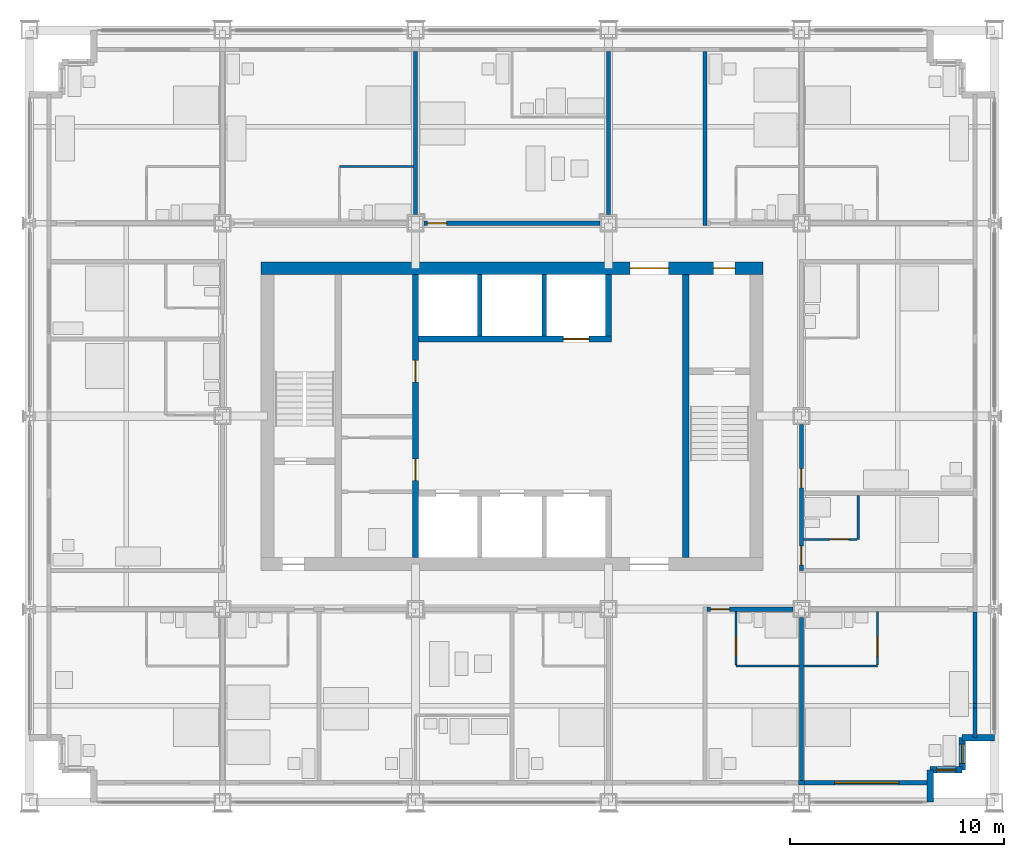
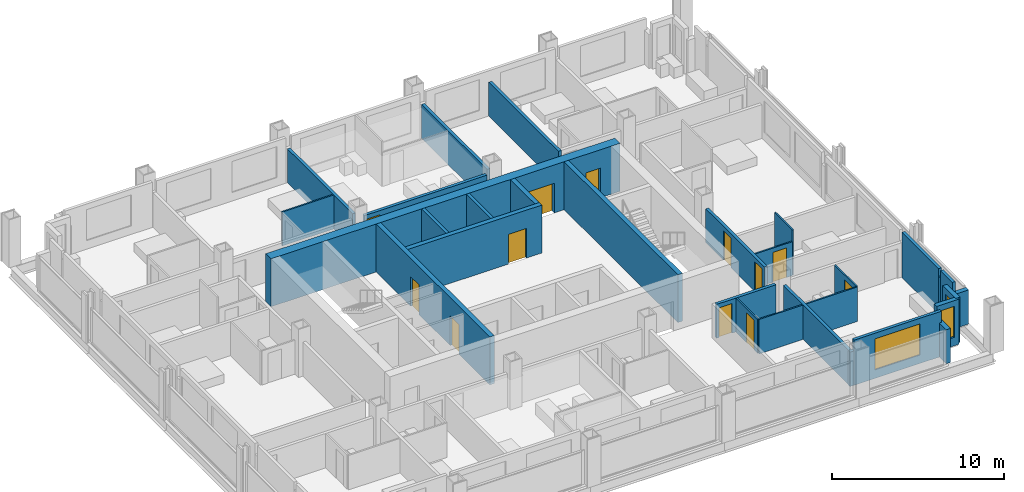
# One storey, part 11 of 16: 30 walls, 12 doors, 3 windows, 15 openings.
"""IFC4 building model written with IfcOpenShell, lengths in metres."""

import ifcopenshell
import ifcopenshell.guid

model = None  # the IFC model being written
_history = None  # IfcOwnerHistory: only IFC2X3 demands one
_inside = {}  # id of a spatial element -> (the spatial element, [elements in it])
_under = {}  # id of a project, library or spatial element -> (it, [spatial elements below it])
_declared = {}  # id of a project -> (the project, [libraries it declares])
_typed = {}  # id of a type object -> (the type object, [elements of that type])
_made_of = {}  # id of a material, layer set ... -> (it, [elements and type objects made of it])


def new_model(schema):
    """Start an empty IFC model of exactly this schema.

    Asked for "IFC4X3", IfcOpenShell would pick the latest addendum, in which some entities
    have other attributes; the version numbers below select the first issue.
    IFC2X3 requires an IfcOwnerHistory on every rooted entity: one is made here for all.
    """
    global model, _history
    if schema == "IFC4X3":
        model = ifcopenshell.file(schema_version=(4, 3, 0, 0))
    else:
        model = ifcopenshell.file(schema=schema)
    _inside.clear()
    _under.clear()
    _declared.clear()
    _typed.clear()
    _made_of.clear()
    _history = None
    if model.schema == "IFC2X3":
        org = make("IfcOrganization", Name="unknown")
        user = make(
            "IfcPersonAndOrganization",
            ThePerson=make("IfcPerson", FamilyName="unknown"),
            TheOrganization=org,
        )
        app = make(
            "IfcApplication",
            ApplicationDeveloper=org,
            Version="unknown",
            ApplicationFullName="unknown",
            ApplicationIdentifier="unknown",
        )
        _history = make(
            "IfcOwnerHistory",
            OwningUser=user,
            OwningApplication=app,
            ChangeAction="ADDED",
            CreationDate=0,
        )
    return model


def make(cls, **values):
    """One entity of the class cls with the attributes given. An attribute that is None is left unset."""
    return model.create_entity(
        cls, **{name: value for name, value in values.items() if value is not None}
    )


def rooted(cls, **values):
    """An entity with a GlobalId (a new one), such as an element, a storey or a relation."""
    return make(cls, GlobalId=ifcopenshell.guid.new(), OwnerHistory=_history, **values)


def si_unit(unit_type, name, prefix=None):
    """IfcSIUnit, for example si_unit("LENGTHUNIT", "METRE", prefix="MILLI")."""
    return make("IfcSIUnit", UnitType=unit_type, Prefix=prefix, Name=name)


def assignment(units):
    """IfcUnitAssignment: the units of a project."""
    return None if units is None else make("IfcUnitAssignment", Units=units)


def point(xyz):
    """IfcCartesianPoint."""
    return None if xyz is None else make("IfcCartesianPoint", Coordinates=xyz)


def direction(xyz):
    """IfcDirection."""
    return None if xyz is None else make("IfcDirection", DirectionRatios=xyz)


def frame(location, z_axis=None, x_axis=None):
    """IfcAxis2Placement3D, a coordinate frame: its origin and axes. An axis left out is left unset."""
    return make(
        "IfcAxis2Placement3D",
        Location=point(location),
        Axis=direction(z_axis),
        RefDirection=direction(x_axis),
    )


def frame_2d(location, x_axis=None):
    """IfcAxis2Placement2D, a coordinate frame in the plane: its origin and x axis."""
    return make(
        "IfcAxis2Placement2D", Location=point(location), RefDirection=direction(x_axis)
    )


def origin():
    """The frame at (0, 0, 0) with its axes left unset."""
    return frame((0.0, 0.0, 0.0))


def place(relative_to, where):
    """IfcLocalPlacement: puts the frame where relative to a parent placement (None: the world)."""
    return make(
        "IfcLocalPlacement", PlacementRelTo=relative_to, RelativePlacement=where
    )


def context(
    kind, dimensions, precision=None, world=None, true_north=None, identifier=None
):
    """IfcGeometricRepresentationContext, for example the 3D "Model" context."""
    return make(
        "IfcGeometricRepresentationContext",
        ContextIdentifier=identifier,
        ContextType=kind,
        CoordinateSpaceDimension=dimensions,
        Precision=precision,
        WorldCoordinateSystem=world,
        TrueNorth=true_north,
    )


def subcontext(parent, identifier, kind, view, scale=None):
    """IfcGeometricRepresentationSubContext, for example "Body" below "Model"."""
    return make(
        "IfcGeometricRepresentationSubContext",
        ContextIdentifier=identifier,
        ContextType=kind,
        ParentContext=parent,
        TargetScale=scale,
        TargetView=view,
    )


def project(units=None, contexts=None):
    """IfcProject with its units and contexts."""
    return rooted(
        "IfcProject",
        Name="project",
        RepresentationContexts=contexts,
        UnitsInContext=assignment(units),
    )


def spatial(cls, under=None, at=None, **own):
    """A site, building, storey or space (cls), placed at a placement, below another one or the project."""
    s = rooted(cls, ObjectPlacement=at, **own)
    if under is not None:
        _under.setdefault(under.id(), (under, []))[1].append(s)
    return s


def profile(cls, at=None, kind="AREA", **sizes):
    """A parametric profile (cls). Its sizes go by their IFC names, for example OverallWidth=200.0."""
    return make(cls, ProfileType=kind, Position=at, **sizes)


def rectangle(**sizes):
    """IfcRectangleProfileDef."""
    return profile("IfcRectangleProfileDef", **sizes)


def extrude(swept, where, along, depth):
    """IfcExtrudedAreaSolid: the profile swept, set in the frame where, extruded along a direction by depth."""
    return make(
        "IfcExtrudedAreaSolid",
        SweptArea=swept,
        Position=where,
        ExtrudedDirection=direction(along),
        Depth=depth,
    )


def shape(context_of_items, identifier, shape_type, items):
    """IfcShapeRepresentation: the items that make up one representation, for example the "Body"."""
    return make(
        "IfcShapeRepresentation",
        ContextOfItems=context_of_items,
        RepresentationIdentifier=identifier,
        RepresentationType=shape_type,
        Items=items,
    )


def material(Name=None, Category=None):
    """IfcMaterial."""
    return make("IfcMaterial", Name=Name, Category=Category)


def layer(
    of_material, thickness, ventilated=None, Name=None, Category=None, Priority=None
):
    """IfcMaterialLayer: one layer of a wall or slab, of a material (None: an air gap)."""
    return make(
        "IfcMaterialLayer",
        Material=of_material,
        LayerThickness=thickness,
        IsVentilated=ventilated,
        Name=Name,
        Category=Category,
        Priority=Priority,
    )


def layer_set(layers, Name=None):
    """IfcMaterialLayerSet."""
    return make("IfcMaterialLayerSet", MaterialLayers=layers, LayerSetName=Name)


def made_of(thing, what):
    """Note that an element or type object is made of a material, layer set ...; save() writes the relation."""
    if what is not None:
        _made_of.setdefault(what.id(), (what, []))[1].append(thing)
    return thing


def type_object(cls, material=None, **own):
    """A type object (cls), such as IfcWallType, which elements share."""
    return made_of(rooted(cls, **own), material)


def element(
    cls,
    number,
    at=None,
    inside=None,
    cuts=None,
    type_object=None,
    material=None,
    context=None,
    identifier="Body",
    shape_type=None,
    held_by="IfcProductDefinitionShape",
    body=None,
    shapes=None,
    **own,
):
    """One element of the class cls, such as IfcWall. Its Tag is "e" and its number.

    at: its placement. inside: the storey or other place that contains it. cuts: it is an
    opening in that element (IfcRelVoidsElement). A single representation is given by context,
    identifier, shape_type and body (its items); several are given by shapes. held_by: the class
    of the entity that holds the representations. save() writes the other relations.
    """
    e = rooted(cls, Tag="e%d" % number, ObjectPlacement=at, **own)
    if body is not None:
        shapes = [shape(context, identifier, shape_type, body)]
    if shapes is not None:
        e.Representation = make(held_by, Representations=shapes)
    if inside is not None:
        _inside.setdefault(inside.id(), (inside, []))[1].append(e)
    if cuts is not None:
        rooted(
            "IfcRelVoidsElement", RelatingBuildingElement=cuts, RelatedOpeningElement=e
        )
    if type_object is not None:
        _typed.setdefault(type_object.id(), (type_object, []))[1].append(e)
    return made_of(e, material)


def fill(opening, filler):
    """IfcRelFillsElement: the door or window that sits in an opening."""
    return rooted(
        "IfcRelFillsElement",
        RelatingOpeningElement=opening,
        RelatedBuildingElement=filler,
    )


def aggregate(whole, parts):
    """IfcRelAggregates: a whole, such as a stair, and the parts it consists of."""
    return rooted("IfcRelAggregates", RelatingObject=whole, RelatedObjects=parts)


def save(model, path):
    """Write the relations noted so far, then the file.

    IfcRelAggregates (storeys below a building ...), IfcRelContainedInSpatialStructure (elements
    in a storey), IfcRelDefinesByType, IfcRelAssociatesMaterial and IfcRelDeclares: one each for
    every whole, place, type object, material and project.
    """
    for whole, parts in _under.values():
        aggregate(whole, parts)
    for where, things in _inside.values():
        rooted(
            "IfcRelContainedInSpatialStructure",
            RelatedElements=things,
            RelatingStructure=where,
        )
    for kind, things in _typed.values():
        rooted("IfcRelDefinesByType", RelatedObjects=things, RelatingType=kind)
    for what, things in _made_of.values():
        rooted("IfcRelAssociatesMaterial", RelatedObjects=things, RelatingMaterial=what)
    for by, libraries in _declared.values():
        rooted("IfcRelDeclares", RelatingContext=by, RelatedDefinitions=libraries)
    model.write(path)


model = new_model("IFC4")

# Units and contexts
model_context = context("Model", 3, precision=1e-05, world=origin(), true_north=direction((0.0, 1.0)))
body_context = subcontext(model_context, "Body", "Model", "MODEL_VIEW")
ifc_project = project(units=[si_unit("LENGTHUNIT", "METRE"), si_unit("AREAUNIT", "SQUARE_METRE"), si_unit("VOLUMEUNIT", "CUBIC_METRE"), si_unit("PLANEANGLEUNIT", "RADIAN"), si_unit("MASSUNIT", "GRAM", prefix="KILO")], contexts=[model_context])

# Site, building, storey
site_placement = place(None, origin())
site = spatial("IfcSite", under=ifc_project, at=site_placement, CompositionType="ELEMENT")
building_placement = place(site_placement, origin())
building = spatial("IfcBuilding", under=site, at=building_placement, Name="Loomwork Tower", CompositionType="ELEMENT")
storey_placement = place(building_placement, frame((0.0, 0.0, 118.0)))
storey = spatial("IfcBuildingStorey", under=building, at=storey_placement, Name="L31", CompositionType="ELEMENT", Elevation=118.0)

# Wall, openings, doors
ifc_material_1 = material(Name="Concrete 14000 psi (97 MPa)", Category="concrete")
ifc_layer_1 = layer(ifc_material_1, 0.300048828125)
ifc_layer_set_1 = layer_set([ifc_layer_1], Name="Core shear wall 300")
wall_type_1 = type_object("IfcWallType", Name="Core shear wall 300", PredefinedType="SHEAR", material=ifc_layer_set_1)
wall_1_placement = place(storey_placement, frame((18.0, 11.39990234375, 0.0), z_axis=(0.0, 0.0, 1.0), x_axis=(0.0, 1.0, 0.0)))
wall_1 = element("IfcWall", 1, at=wall_1_placement, inside=storey, type_object=wall_type_1, Name="Lobby west wall L31", PredefinedType="SHEAR", context=body_context, shape_type="SweptSolid", body=[
    extrude(rectangle(XDim=13.2001953125, YDim=0.300048828125, at=frame_2d((6.60009765625, 0.0))), origin(), (0.0, 0.0, 1.0), 3.39990234375),
])
opening_1_placement = place(wall_1_placement, frame((3.60009765625, 0.0, 0.0)))
opening_1 = element("IfcOpeningElement", 2, at=opening_1_placement, cuts=wall_1, Name="Opening D5", PredefinedType="OPENING", context=body_context, shape_type="SweptSolid", body=[
    extrude(rectangle(XDim=1.0, YDim=2.10009765625, at=frame_2d((0.5, 1.050048828125))), frame((0.0, 0.159912109375, 0.0), z_axis=(0.0, -1.0, 0.0), x_axis=(1.0, 0.0, 0.0)), (0.0, 0.0, 1.0), 0.320068359375),
])
opening_2_placement = place(wall_1_placement, frame((8.199951171875, 0.0, 0.0)))
opening_2 = element("IfcOpeningElement", 3, at=opening_2_placement, cuts=wall_1, Name="Opening D5", PredefinedType="OPENING", context=body_context, shape_type="SweptSolid", body=[
    extrude(rectangle(XDim=1.0, YDim=2.10009765625, at=frame_2d((0.5, 1.050048828125))), frame((0.0, 0.159912109375, 0.0), z_axis=(0.0, -1.0, 0.0), x_axis=(1.0, 0.0, 0.0)), (0.0, 0.0, 1.0), 0.320068359375),
])
ifc_material_2 = material(Name="Hollow metal door and frame")
door_type_1 = type_object("IfcDoorType", Name="Service door 1000", OperationType="SINGLE_SWING_LEFT", PredefinedType="DOOR", material=ifc_material_2)
door_1_placement = place(opening_1_placement, origin())
door_1 = element("IfcDoor", 4, at=door_1_placement, inside=storey, type_object=door_type_1, Name="Back-of-house door south", OperationType="SINGLE_SWING_LEFT", OverallHeight=2.10009765625, OverallWidth=1.0, PredefinedType="DOOR", context=body_context, shape_type="SweptSolid", body=[
    extrude(rectangle(XDim=1.0, YDim=2.10009765625, at=frame_2d((0.5, 1.050048828125))), frame((0.0, 0.02490234375, 0.0), z_axis=(0.0, -1.0, 0.0), x_axis=(1.0, 0.0, 0.0)), (0.0, 0.0, 1.0), 0.050048828125),
])
fill(opening_1, door_1)
door_2_placement = place(opening_2_placement, origin())
door_2 = element("IfcDoor", 5, at=door_2_placement, inside=storey, type_object=door_type_1, Name="Back-of-house door north", OperationType="SINGLE_SWING_RIGHT", OverallHeight=2.10009765625, OverallWidth=1.0, PredefinedType="DOOR", context=body_context, shape_type="SweptSolid", body=[
    extrude(rectangle(XDim=1.0, YDim=2.10009765625, at=frame_2d((0.5, 1.050048828125))), frame((0.0, 0.02490234375, 0.0), z_axis=(0.0, -1.0, 0.0), x_axis=(1.0, 0.0, 0.0)), (0.0, 0.0, 1.0), 0.050048828125),
])
fill(opening_2, door_2)

# Wall, opening, door
wall_2_placement = place(storey_placement, frame((18.14990234375, 21.60009765625, 0.0), z_axis=(0.0, 0.0, 1.0), x_axis=(1.0, 0.0, 0.0)))
wall_2 = element("IfcWall", 6, at=wall_2_placement, inside=storey, type_object=wall_type_1, Name="Lift front wall north L31", PredefinedType="SHEAR", context=body_context, shape_type="SweptSolid", body=[
    extrude(rectangle(XDim=9.0, YDim=0.300048828125, at=frame_2d((4.5, 0.0))), origin(), (0.0, 0.0, 1.0), 3.39990234375),
])
opening_3_placement = place(wall_2_placement, frame((6.75, 0.0, 0.0)))
opening_3 = element("IfcOpeningElement", 7, at=opening_3_placement, cuts=wall_2, Name="Opening LD2", PredefinedType="OPENING", context=body_context, shape_type="SweptSolid", body=[
    extrude(rectangle(XDim=1.199951171875, YDim=2.10009765625, at=frame_2d((0.60009765625, 1.050048828125))), frame((0.0, 0.159912109375, 0.0), z_axis=(0.0, -1.0, 0.0), x_axis=(1.0, 0.0, 0.0)), (0.0, 0.0, 1.0), 0.320068359375),
])
ifc_material_3 = material(Name="Hollow metal door and frame")
door_type_2 = type_object("IfcDoorType", Name="Lift landing door 1200", OperationType="SLIDING_TO_LEFT", PredefinedType="DOOR", material=ifc_material_3)
door_3_placement = place(opening_3_placement, origin())
door_3 = element("IfcDoor", 8, at=door_3_placement, inside=storey, type_object=door_type_2, Name="Lift landing door LF2", OperationType="SLIDING_TO_LEFT", OverallHeight=2.10009765625, OverallWidth=1.199951171875, PredefinedType="DOOR", context=body_context, shape_type="SweptSolid", body=[
    extrude(rectangle(XDim=1.199951171875, YDim=2.10009765625, at=frame_2d((0.60009765625, 1.050048828125))), frame((0.0, 0.02490234375, 0.0), z_axis=(0.0, -1.0, 0.0), x_axis=(1.0, 0.0, 0.0)), (0.0, 0.0, 1.0), 0.050048828125),
])
fill(opening_3, door_3)

# Walls
wall_3_placement = place(storey_placement, frame((27.0, 21.75, 0.0), z_axis=(0.0, 0.0, 1.0), x_axis=(0.0, 1.0, 0.0)))
element("IfcWall", 9, at=wall_3_placement, inside=storey, type_object=wall_type_1, Name="Lift shaft end wall north L31", PredefinedType="SHEAR", context=body_context, shape_type="SweptSolid", body=[
    extrude(rectangle(XDim=2.85009765625, YDim=0.300048828125, at=frame_2d((1.425048828125, 0.0))), origin(), (0.0, 0.0, 1.0), 3.39990234375),
])
wall_4_placement = place(storey_placement, frame((30.60009765625, 11.39990234375, 0.0), z_axis=(0.0, 0.0, 1.0), x_axis=(0.0, 1.0, 0.0)))
element("IfcWall", 10, at=wall_4_placement, inside=storey, type_object=wall_type_1, Name="Stair B west wall L31", PredefinedType="SHEAR", context=body_context, shape_type="SweptSolid", body=[
    extrude(rectangle(XDim=13.2001953125, YDim=0.300048828125, at=frame_2d((6.60009765625, 0.0))), origin(), (0.0, 0.0, 1.0), 3.39990234375),
])

# Wall, openings, doors
ifc_material_4 = material(Name="Concrete 14000 psi (97 MPa)", Category="concrete")
ifc_layer_2 = layer(ifc_material_4, 0.60009765625)
ifc_layer_set_2 = layer_set([ifc_layer_2], Name="Core shear wall 600")
wall_type_2 = type_object("IfcWallType", Name="Core shear wall 600", PredefinedType="SHEAR", material=ifc_layer_set_2)
wall_5_placement = place(storey_placement, frame((10.800048828125, 24.89990234375, 0.0), z_axis=(0.0, 0.0, 1.0), x_axis=(1.0, 0.0, 0.0)))
wall_5 = element("IfcWall", 11, at=wall_5_placement, inside=storey, type_object=wall_type_2, Name="Core wall north L31", PredefinedType="SHEAR", context=body_context, shape_type="SweptSolid", body=[
    extrude(rectangle(XDim=23.39990234375, YDim=0.60009765625, at=frame_2d((11.699951171875, 0.0))), origin(), (0.0, 0.0, 1.0), 3.39990234375),
])
opening_4_placement = place(wall_5_placement, frame((17.199951171875, 0.0, 0.0)))
opening_4 = element("IfcOpeningElement", 12, at=opening_4_placement, cuts=wall_5, Name="Opening D6", PredefinedType="OPENING", context=body_context, shape_type="SweptSolid", body=[
    extrude(rectangle(XDim=1.800048828125, YDim=2.10009765625, at=frame_2d((0.89990234375, 1.050048828125))), frame((0.0, 0.31005859375, 0.0), z_axis=(0.0, -1.0, 0.0), x_axis=(1.0, 0.0, 0.0)), (0.0, 0.0, 1.0), 0.6201171875),
])
opening_5_placement = place(wall_5_placement, frame((21.10009765625, 0.0, 0.0)))
opening_5 = element("IfcOpeningElement", 13, at=opening_5_placement, cuts=wall_5, Name="Opening D4", PredefinedType="OPENING", context=body_context, shape_type="SweptSolid", body=[
    extrude(rectangle(XDim=1.0, YDim=2.10009765625, at=frame_2d((0.5, 1.050048828125))), frame((0.0, 0.31005859375, 0.0), z_axis=(0.0, -1.0, 0.0), x_axis=(1.0, 0.0, 0.0)), (0.0, 0.0, 1.0), 0.6201171875),
])
ifc_material_5 = material(Name="Hollow metal door and frame")
door_type_3 = type_object("IfcDoorType", Name="Lobby passage double door 1800", OperationType="DOUBLE_DOOR_SINGLE_SWING", PredefinedType="DOOR", material=ifc_material_5)
door_4_placement = place(opening_4_placement, frame((1.800048828125, 0.0, 0.0), z_axis=(0.0, 0.0, 1.0), x_axis=(-1.0, 0.0, 0.0)))
door_4 = element("IfcDoor", 14, at=door_4_placement, inside=storey, type_object=door_type_3, Name="Lobby passage door north", OperationType="DOUBLE_DOOR_SINGLE_SWING", OverallHeight=2.10009765625, OverallWidth=1.800048828125, PredefinedType="DOOR", context=body_context, shape_type="SweptSolid", body=[
    extrude(rectangle(XDim=1.800048828125, YDim=2.10009765625, at=frame_2d((0.89990234375, 1.050048828125))), frame((0.0, 0.02490234375, 0.0), z_axis=(0.0, -1.0, 0.0), x_axis=(1.0, 0.0, 0.0)), (0.0, 0.0, 1.0), 0.050048828125),
])
fill(opening_4, door_4)
ifc_material_6 = material(Name="Hollow metal door and frame")
door_type_4 = type_object("IfcDoorType", Name="Stair door 1000", OperationType="SINGLE_SWING_RIGHT", PredefinedType="DOOR", material=ifc_material_6)
door_5_placement = place(opening_5_placement, frame((1.0, 0.0, 0.0), z_axis=(0.0, 0.0, 1.0), x_axis=(-1.0, 0.0, 0.0)))
door_5 = element("IfcDoor", 15, at=door_5_placement, inside=storey, type_object=door_type_4, Name="Stair B vestibule door", OperationType="SINGLE_SWING_LEFT", OverallHeight=2.10009765625, OverallWidth=1.0, PredefinedType="DOOR", context=body_context, shape_type="SweptSolid", body=[
    extrude(rectangle(XDim=1.0, YDim=2.10009765625, at=frame_2d((0.5, 1.050048828125))), frame((0.0, 0.02490234375, 0.0), z_axis=(0.0, -1.0, 0.0), x_axis=(1.0, 0.0, 0.0)), (0.0, 0.0, 1.0), 0.050048828125),
])
fill(opening_5, door_5)

# Wall, opening, door
ifc_material_7 = material(Name="Gypsum board on steel studs, one-hour", Category="steel")
ifc_layer_3 = layer(ifc_material_7, 0.199951171875)
ifc_layer_set_3 = layer_set([ifc_layer_3], Name="Corridor wall 200")
wall_type_3 = type_object("IfcWallType", Name="Corridor wall 200", PredefinedType="PARTITIONING", material=ifc_layer_set_3)
wall_6_placement = place(storey_placement, frame((31.60009765625, 9.0, 0.0), z_axis=(0.0, 0.0, 1.0), x_axis=(1.0, 0.0, 0.0)))
wall_6 = element("IfcWall", 16, at=wall_6_placement, inside=storey, type_object=wall_type_3, Name="South corridor wall 4", PredefinedType="PARTITIONING", context=body_context, shape_type="SweptSolid", body=[
    extrude(rectangle(XDim=4.0, YDim=0.199951171875, at=frame_2d((2.0, 0.0))), origin(), (0.0, 0.0, 1.0), 2.405029296875),
])
opening_6_placement = place(wall_6_placement, frame((0.14990234375, 0.0, 0.0)))
opening_6 = element("IfcOpeningElement", 17, at=opening_6_placement, cuts=wall_6, Name="Opening D1", PredefinedType="OPENING", context=body_context, shape_type="SweptSolid", body=[
    extrude(rectangle(XDim=0.89990234375, YDim=2.10009765625, at=frame_2d((0.449951171875, 1.050048828125))), frame((0.0, 0.10986328125, 0.0), z_axis=(0.0, -1.0, 0.0), x_axis=(1.0, 0.0, 0.0)), (0.0, 0.0, 1.0), 0.219970703125),
])
ifc_material_8 = material(Name="Hollow metal door and frame")
door_type_5 = type_object("IfcDoorType", Name="Guest room entry door 900", OperationType="SINGLE_SWING_LEFT", PredefinedType="DOOR", material=ifc_material_8)
door_6_placement = place(opening_6_placement, frame((0.89990234375, 0.0, 0.0), z_axis=(0.0, 0.0, 1.0), x_axis=(-1.0, 0.0, 0.0)))
door_6 = element("IfcDoor", 18, at=door_6_placement, inside=storey, type_object=door_type_5, Name="Guest room entry door L31 5", OperationType="SINGLE_SWING_RIGHT", OverallHeight=2.10009765625, OverallWidth=0.89990234375, PredefinedType="DOOR", context=body_context, shape_type="SweptSolid", body=[
    extrude(rectangle(XDim=0.89990234375, YDim=2.10009765625, at=frame_2d((0.449951171875, 1.050048828125))), frame((0.0, 0.02490234375, 0.0), z_axis=(0.0, -1.0, 0.0), x_axis=(1.0, 0.0, 0.0)), (0.0, 0.0, 1.0), 0.050048828125),
])
fill(opening_6, door_6)

wall_7_placement = place(storey_placement, frame((18.39990234375, 27.0, 0.0), z_axis=(0.0, 0.0, 1.0), x_axis=(1.0, 0.0, 0.0)))
wall_7 = element("IfcWall", 19, at=wall_7_placement, inside=storey, type_object=wall_type_3, Name="North corridor wall 3", PredefinedType="PARTITIONING", context=body_context, shape_type="SweptSolid", body=[
    extrude(rectangle(XDim=8.2001953125, YDim=0.199951171875, at=frame_2d((4.10009765625, 0.0))), origin(), (0.0, 0.0, 1.0), 2.405029296875),
])
opening_7_placement = place(wall_7_placement, frame((0.14990234375, 0.0, 0.0)))
opening_7 = element("IfcOpeningElement", 20, at=opening_7_placement, cuts=wall_7, Name="Opening D1", PredefinedType="OPENING", context=body_context, shape_type="SweptSolid", body=[
    extrude(rectangle(XDim=0.89990234375, YDim=2.10009765625, at=frame_2d((0.449951171875, 1.050048828125))), frame((0.0, 0.10986328125, 0.0), z_axis=(0.0, -1.0, 0.0), x_axis=(1.0, 0.0, 0.0)), (0.0, 0.0, 1.0), 0.219970703125),
])
door_7_placement = place(opening_7_placement, origin())
door_7 = element("IfcDoor", 21, at=door_7_placement, inside=storey, type_object=door_type_5, Name="Guest room entry door L31 9", OperationType="SINGLE_SWING_LEFT", OverallHeight=2.10009765625, OverallWidth=0.89990234375, PredefinedType="DOOR", context=body_context, shape_type="SweptSolid", body=[
    extrude(rectangle(XDim=0.89990234375, YDim=2.10009765625, at=frame_2d((0.449951171875, 1.050048828125))), frame((0.0, 0.02490234375, 0.0), z_axis=(0.0, -1.0, 0.0), x_axis=(1.0, 0.0, 0.0)), (0.0, 0.0, 1.0), 0.050048828125),
])
fill(opening_7, door_7)

# Wall, openings, doors
wall_8_placement = place(storey_placement, frame((36.0, 10.800048828125, 0.0), z_axis=(0.0, 0.0, 1.0), x_axis=(0.0, 1.0, 0.0)))
wall_8 = element("IfcWall", 22, at=wall_8_placement, inside=storey, type_object=wall_type_3, Name="East corridor wall 1", PredefinedType="PARTITIONING", context=body_context, shape_type="SweptSolid", body=[
    extrude(rectangle(XDim=6.800048828125, YDim=0.199951171875, at=frame_2d((3.39990234375, 0.0))), origin(), (0.0, 0.0, 1.0), 2.405029296875),
])
opening_8_placement = place(wall_8_placement, frame((0.25, 0.0, 0.0)))
opening_8 = element("IfcOpeningElement", 23, at=opening_8_placement, cuts=wall_8, Name="Opening D1", PredefinedType="OPENING", context=body_context, shape_type="SweptSolid", body=[
    extrude(rectangle(XDim=0.89990234375, YDim=2.10009765625, at=frame_2d((0.449951171875, 1.050048828125))), frame((0.0, 0.10986328125, 0.0), z_axis=(0.0, -1.0, 0.0), x_axis=(1.0, 0.0, 0.0)), (0.0, 0.0, 1.0), 0.219970703125),
])
opening_9_placement = place(wall_8_placement, frame((3.85009765625, 0.0, 0.0)))
opening_9 = element("IfcOpeningElement", 24, at=opening_9_placement, cuts=wall_8, Name="Opening D1", PredefinedType="OPENING", context=body_context, shape_type="SweptSolid", body=[
    extrude(rectangle(XDim=0.89990234375, YDim=2.10009765625, at=frame_2d((0.449951171875, 1.050048828125))), frame((0.0, 0.10986328125, 0.0), z_axis=(0.0, -1.0, 0.0), x_axis=(1.0, 0.0, 0.0)), (0.0, 0.0, 1.0), 0.219970703125),
])
door_8_placement = place(opening_8_placement, frame((0.89990234375, 0.0, 0.0), z_axis=(0.0, 0.0, 1.0), x_axis=(-1.0, 0.0, 0.0)))
door_8 = element("IfcDoor", 25, at=door_8_placement, inside=storey, type_object=door_type_5, Name="Guest room entry door L31 14", OperationType="SINGLE_SWING_RIGHT", OverallHeight=2.10009765625, OverallWidth=0.89990234375, PredefinedType="DOOR", context=body_context, shape_type="SweptSolid", body=[
    extrude(rectangle(XDim=0.89990234375, YDim=2.10009765625, at=frame_2d((0.449951171875, 1.050048828125))), frame((0.0, 0.02490234375, 0.0), z_axis=(0.0, -1.0, 0.0), x_axis=(1.0, 0.0, 0.0)), (0.0, 0.0, 1.0), 0.050048828125),
])
fill(opening_8, door_8)
door_9_placement = place(opening_9_placement, frame((0.89990234375, 0.0, 0.0), z_axis=(0.0, 0.0, 1.0), x_axis=(-1.0, 0.0, 0.0)))
door_9 = element("IfcDoor", 26, at=door_9_placement, inside=storey, type_object=door_type_5, Name="Guest room entry door L31 15", OperationType="SINGLE_SWING_RIGHT", OverallHeight=2.10009765625, OverallWidth=0.89990234375, PredefinedType="DOOR", context=body_context, shape_type="SweptSolid", body=[
    extrude(rectangle(XDim=0.89990234375, YDim=2.10009765625, at=frame_2d((0.449951171875, 1.050048828125))), frame((0.0, 0.02490234375, 0.0), z_axis=(0.0, -1.0, 0.0), x_axis=(1.0, 0.0, 0.0)), (0.0, 0.0, 1.0), 0.050048828125),
])
fill(opening_9, door_9)

# Wall
ifc_material_9 = material(Name="Cement board on steel studs", Category="steel")
ifc_layer_4 = layer(ifc_material_9, 0.10009765625)
ifc_layer_set_4 = layer_set([ifc_layer_4], Name="En-suite partition 100")
wall_type_4 = type_object("IfcWallType", Name="En-suite partition 100", PredefinedType="PARTITIONING", material=ifc_layer_set_4)
wall_9_placement = place(storey_placement, frame((32.949951171875, 6.35009765625, 0.0), z_axis=(0.0, 0.0, 1.0), x_axis=(1.0, 0.0, 0.0)))
element("IfcWall", 27, at=wall_9_placement, inside=storey, type_object=wall_type_4, Name="En-suite wall L31 room 5", PredefinedType="PARTITIONING", context=body_context, shape_type="SweptSolid", body=[
    extrude(rectangle(XDim=2.949951171875, YDim=0.10009765625, at=frame_2d((1.47509765625, 0.0))), origin(), (0.0, 0.0, 1.0), 2.43798828125),
])

# Wall, opening, door
wall_10_placement = place(storey_placement, frame((32.949951171875, 8.89990234375, 0.0), z_axis=(0.0, 0.0, 1.0), x_axis=(0.0, -1.0, 0.0)))
wall_10 = element("IfcWall", 28, at=wall_10_placement, inside=storey, type_object=wall_type_4, Name="En-suite side wall L31 room 5", PredefinedType="PARTITIONING", context=body_context, shape_type="SweptSolid", body=[
    extrude(rectangle(XDim=2.5, YDim=0.10009765625, at=frame_2d((1.25, 0.0))), origin(), (0.0, 0.0, 1.0), 2.404052734375),
])
opening_10_placement = place(wall_10_placement, frame((1.199951171875, 0.0, 0.0)))
opening_10 = element("IfcOpeningElement", 29, at=opening_10_placement, cuts=wall_10, Name="Opening D3", PredefinedType="OPENING", context=body_context, shape_type="SweptSolid", body=[
    extrude(rectangle(XDim=0.89990234375, YDim=2.10009765625, at=frame_2d((0.449951171875, 1.050048828125))), frame((0.0, 0.06005859375, 0.0), z_axis=(0.0, -1.0, 0.0), x_axis=(1.0, 0.0, 0.0)), (0.0, 0.0, 1.0), 0.1201171875),
])
ifc_material_10 = material(Name="Hollow metal door and frame")
door_type_6 = type_object("IfcDoorType", Name="Accessible en-suite door 900", OperationType="SLIDING_TO_LEFT", PredefinedType="DOOR", material=ifc_material_10)
door_10_placement = place(opening_10_placement, origin())
door_10 = element("IfcDoor", 30, at=door_10_placement, inside=storey, type_object=door_type_6, Name="Accessible en-suite door room 5", OperationType="SLIDING_TO_LEFT", OverallHeight=2.10009765625, OverallWidth=0.89990234375, PredefinedType="DOOR", context=body_context, shape_type="SweptSolid", body=[
    extrude(rectangle(XDim=0.89990234375, YDim=2.10009765625, at=frame_2d((0.449951171875, 1.050048828125))), frame((0.0, 0.02490234375, 0.0), z_axis=(0.0, -1.0, 0.0), x_axis=(1.0, 0.0, 0.0)), (0.0, 0.0, 1.0), 0.050048828125),
])
fill(opening_10, door_10)

# Wall
wall_11_placement = place(storey_placement, frame((36.10009765625, 6.35009765625, 0.0), z_axis=(0.0, 0.0, 1.0), x_axis=(1.0, 0.0, 0.0)))
element("IfcWall", 31, at=wall_11_placement, inside=storey, type_object=wall_type_4, Name="En-suite wall L31 room 6", PredefinedType="PARTITIONING", context=body_context, shape_type="SweptSolid", body=[
    extrude(rectangle(XDim=3.449951171875, YDim=0.10009765625, at=frame_2d((1.72509765625, 0.0))), origin(), (0.0, 0.0, 1.0), 2.43798828125),
])

# Wall, opening, door
wall_12_placement = place(storey_placement, frame((39.550048828125, 8.89990234375, 0.0), z_axis=(0.0, 0.0, 1.0), x_axis=(0.0, -1.0, 0.0)))
wall_12 = element("IfcWall", 32, at=wall_12_placement, inside=storey, type_object=wall_type_4, Name="En-suite side wall L31 room 6", PredefinedType="PARTITIONING", context=body_context, shape_type="SweptSolid", body=[
    extrude(rectangle(XDim=2.5, YDim=0.10009765625, at=frame_2d((1.25, 0.0))), origin(), (0.0, 0.0, 1.0), 2.43798828125),
])
opening_11_placement = place(wall_12_placement, frame((1.199951171875, 0.0, 0.0)))
opening_11 = element("IfcOpeningElement", 33, at=opening_11_placement, cuts=wall_12, Name="Opening D2", PredefinedType="OPENING", context=body_context, shape_type="SweptSolid", body=[
    extrude(rectangle(XDim=0.89990234375, YDim=2.10009765625, at=frame_2d((0.449951171875, 1.050048828125))), frame((0.0, 0.06005859375, 0.0), z_axis=(0.0, -1.0, 0.0), x_axis=(1.0, 0.0, 0.0)), (0.0, 0.0, 1.0), 0.1201171875),
])
ifc_material_11 = material(Name="Hollow metal door and frame")
door_type_7 = type_object("IfcDoorType", Name="En-suite door 900", OperationType="SINGLE_SWING_LEFT", PredefinedType="DOOR", material=ifc_material_11)
door_11_placement = place(opening_11_placement, frame((0.89990234375, 0.0, 0.0), z_axis=(0.0, 0.0, 1.0), x_axis=(-1.0, 0.0, 0.0)))
door_11 = element("IfcDoor", 34, at=door_11_placement, inside=storey, type_object=door_type_7, Name="En-suite door room 6", OperationType="SINGLE_SWING_LEFT", OverallHeight=2.10009765625, OverallWidth=0.89990234375, PredefinedType="DOOR", context=body_context, shape_type="SweptSolid", body=[
    extrude(rectangle(XDim=0.89990234375, YDim=2.10009765625, at=frame_2d((0.449951171875, 1.050048828125))), frame((0.0, 0.02490234375, 0.0), z_axis=(0.0, -1.0, 0.0), x_axis=(1.0, 0.0, 0.0)), (0.0, 0.0, 1.0), 0.050048828125),
])
fill(opening_11, door_11)

# Walls
wall_13_placement = place(storey_placement, frame((14.449951171875, 29.64990234375, 0.0), z_axis=(0.0, 0.0, 1.0), x_axis=(1.0, 0.0, 0.0)))
element("IfcWall", 35, at=wall_13_placement, inside=storey, type_object=wall_type_4, Name="En-suite wall L31 room 8", PredefinedType="PARTITIONING", context=body_context, shape_type="SweptSolid", body=[
    extrude(rectangle(XDim=3.449951171875, YDim=0.10009765625, at=frame_2d((1.72509765625, 0.0))), origin(), (0.0, 0.0, 1.0), 2.404052734375),
])
wall_14_placement = place(storey_placement, frame((38.64990234375, 12.25, 0.0), z_axis=(0.0, 0.0, 1.0), x_axis=(0.0, 1.0, 0.0)))
element("IfcWall", 36, at=wall_14_placement, inside=storey, type_object=wall_type_4, Name="En-suite wall L31 room 14", PredefinedType="PARTITIONING", context=body_context, shape_type="SweptSolid", body=[
    extrude(rectangle(XDim=2.050048828125, YDim=0.10009765625, at=frame_2d((1.02490234375, 0.0))), origin(), (0.0, 0.0, 1.0), 3.199951171875),
])

# Wall, opening, door
wall_15_placement = place(storey_placement, frame((36.10009765625, 12.25, 0.0), z_axis=(0.0, 0.0, 1.0), x_axis=(1.0, 0.0, 0.0)))
wall_15 = element("IfcWall", 37, at=wall_15_placement, inside=storey, type_object=wall_type_4, Name="En-suite side wall L31 room 14", PredefinedType="PARTITIONING", context=body_context, shape_type="SweptSolid", body=[
    extrude(rectangle(XDim=2.5, YDim=0.10009765625, at=frame_2d((1.25, 0.0))), origin(), (0.0, 0.0, 1.0), 2.404052734375),
])
opening_12_placement = place(wall_15_placement, frame((1.199951171875, 0.0, 0.0)))
opening_12 = element("IfcOpeningElement", 38, at=opening_12_placement, cuts=wall_15, Name="Opening D2", PredefinedType="OPENING", context=body_context, shape_type="SweptSolid", body=[
    extrude(rectangle(XDim=0.89990234375, YDim=2.10009765625, at=frame_2d((0.449951171875, 1.050048828125))), frame((0.0, 0.06005859375, 0.0), z_axis=(0.0, -1.0, 0.0), x_axis=(1.0, 0.0, 0.0)), (0.0, 0.0, 1.0), 0.1201171875),
])
door_12_placement = place(opening_12_placement, origin())
door_12 = element("IfcDoor", 39, at=door_12_placement, inside=storey, type_object=door_type_7, Name="En-suite door room 14", OperationType="SINGLE_SWING_RIGHT", OverallHeight=2.10009765625, OverallWidth=0.89990234375, PredefinedType="DOOR", context=body_context, shape_type="SweptSolid", body=[
    extrude(rectangle(XDim=0.89990234375, YDim=2.10009765625, at=frame_2d((0.449951171875, 1.050048828125))), frame((0.0, 0.02490234375, 0.0), z_axis=(0.0, -1.0, 0.0), x_axis=(1.0, 0.0, 0.0)), (0.0, 0.0, 1.0), 0.050048828125),
])
fill(opening_12, door_12)

# Walls
ifc_material_12 = material(Name="Gypsum board on steel studs, acoustic", Category="steel")
ifc_layer_5 = layer(ifc_material_12, 0.199951171875)
ifc_layer_set_5 = layer_set([ifc_layer_5], Name="Guest room party wall 200")
wall_type_5 = type_object("IfcWallType", Name="Guest room party wall 200", PredefinedType="PARTITIONING", material=ifc_layer_set_5)
wall_16_placement = place(storey_placement, frame((36.0, 8.60009765625, 0.0), z_axis=(0.0, 0.0, 1.0), x_axis=(0.0, -1.0, 0.0)))
element("IfcWall", 40, at=wall_16_placement, inside=storey, type_object=wall_type_5, Name="Guest room party wall S 36", PredefinedType="PARTITIONING", context=body_context, shape_type="SweptSolid", body=[
    extrude(rectangle(XDim=7.60009765625, YDim=0.199951171875, at=frame_2d((3.800048828125, 0.0))), origin(), (0.0, 0.0, 1.0), 2.43798828125),
])
for number, where, z_axis, x_axis, name in (
    (41, (18.0, 27.39990234375, 0.0), (0.0, 0.0, 1.0), (0.0, 1.0, 0.0), "Guest room party wall N 18"),
    (42, (27.0, 27.39990234375, 0.0), (0.0, 0.0, 1.0), (0.0, 1.0, 0.0), "Guest room party wall N 27"),
):
    element("IfcWall", number, at=place(storey_placement, frame(where, z_axis=z_axis, x_axis=x_axis)), inside=storey, type_object=wall_type_5, Name=name, PredefinedType="PARTITIONING", context=body_context, shape_type="SweptSolid", body=[
        extrude(rectangle(XDim=7.60009765625, YDim=0.199951171875, at=frame_2d((3.800048828125, 0.0))), origin(), (0.0, 0.0, 1.0), 2.405029296875),
    ])
wall_17_placement = place(storey_placement, frame((31.5, 26.89990234375, 0.0), z_axis=(0.0, 0.0, 1.0), x_axis=(0.0, 1.0, 0.0)))
element("IfcWall", 43, at=wall_17_placement, inside=storey, type_object=wall_type_5, Name="Guest room party wall N 31.5", PredefinedType="PARTITIONING", context=body_context, shape_type="SweptSolid", body=[
    extrude(rectangle(XDim=8.10009765625, YDim=0.199951171875, at=frame_2d((4.050048828125, 0.0))), origin(), (0.0, 0.0, 1.0), 2.404052734375),
])
ifc_material_13 = material(Name="Insulated steel stud wall with gypsum lining", Category="steel")
ifc_layer_6 = layer(ifc_material_13, 0.199951171875)
ifc_layer_set_6 = layer_set([ifc_layer_6], Name="Inner skin wall 200")
wall_type_6 = type_object("IfcWallType", Name="Inner skin wall 200", PredefinedType="SOLIDWALL", material=ifc_layer_set_6)
wall_18_placement = place(storey_placement, frame((44.10009765625, 3.0, 0.0), z_axis=(0.0, 0.0, 1.0), x_axis=(0.0, 1.0, 0.0)))
element("IfcWall", 44, at=wall_18_placement, inside=storey, type_object=wall_type_6, Name="Inner skin wall E", PredefinedType="SOLIDWALL", context=body_context, shape_type="SweptSolid", body=[
    extrude(rectangle(XDim=1.392578125, YDim=0.199951171875, at=frame_2d((0.6962890625, 0.0))), origin(), (0.0, 0.0, 1.0), 3.199951171875),
])
wall_19_placement = place(storey_placement, frame((35.864501953125, 0.89990234375, 0.0), z_axis=(0.0, 0.0, 1.0), x_axis=(1.0, 0.0, 0.0)))
element("IfcWall", 45, at=wall_19_placement, inside=storey, type_object=wall_type_6, Name="Inner skin wall S bay 8", PredefinedType="SOLIDWALL", context=body_context, shape_type="SweptSolid", body=[
    extrude(rectangle(XDim=0.27099609375, YDim=0.199951171875, at=frame_2d((0.135498046875, 0.0))), origin(), (0.0, 0.0, 1.0), 2.43798828125),
])

# Wall, opening, window
wall_20_placement = place(storey_placement, frame((36.135498046875, 0.89990234375, 0.0), z_axis=(0.0, 0.0, 1.0), x_axis=(1.0, 0.0, 0.0)))
wall_20 = element("IfcWall", 46, at=wall_20_placement, inside=storey, type_object=wall_type_6, Name="Inner skin wall S bay 9", PredefinedType="SOLIDWALL", context=body_context, shape_type="SweptSolid", body=[
    extrude(rectangle(XDim=5.864501953125, YDim=0.199951171875, at=frame_2d((2.93212890625, 0.0))), origin(), (0.0, 0.0, 1.0), 3.199951171875),
])
opening_13_placement = place(wall_20_placement, frame((1.41455078125, 0.0, 0.60009765625)))
opening_13 = element("IfcOpeningElement", 47, at=opening_13_placement, cuts=wall_20, Name="Opening CH1", PredefinedType="OPENING", context=body_context, shape_type="SweptSolid", body=[
    extrude(rectangle(XDim=3.0, YDim=2.199951171875, at=frame_2d((1.5, 1.10009765625))), frame((0.0, 0.10986328125, 0.0), z_axis=(0.0, -1.0, 0.0), x_axis=(1.0, 0.0, 0.0)), (0.0, 0.0, 1.0), 0.219970703125),
])
ifc_material_14 = material(Name="Aluminium frame with clear insulated glass", Category="aluminium")
window_type_1 = type_object("IfcWindowType", Name="Chicago window 3000", PartitioningType="TRIPLE_PANEL_VERTICAL", PredefinedType="WINDOW", material=ifc_material_14)
window_1_placement = place(opening_13_placement, origin())
window_1 = element("IfcWindow", 48, at=window_1_placement, inside=storey, type_object=window_type_1, Name="Chicago window L31 bay 5", OverallHeight=2.199951171875, OverallWidth=3.0, PartitioningType="TRIPLE_PANEL_VERTICAL", PredefinedType="WINDOW", context=body_context, shape_type="SweptSolid", body=[
    extrude(rectangle(XDim=3.0, YDim=2.199951171875, at=frame_2d((1.5, 1.10009765625))), frame((0.0, 0.030029296875, 0.0), z_axis=(0.0, -1.0, 0.0), x_axis=(1.0, 0.0, 0.0)), (0.0, 0.0, 1.0), 0.06005859375),
])
fill(opening_13, window_1)

# Walls
wall_21_placement = place(storey_placement, frame((44.10009765625, 4.392578125, 0.0), z_axis=(0.0, 0.0, 1.0), x_axis=(0.0, 1.0, 0.0)))
element("IfcWall", 49, at=wall_21_placement, inside=storey, type_object=wall_type_6, Name="Inner skin wall E bay 2", PredefinedType="SOLIDWALL", context=body_context, shape_type="SweptSolid", body=[
    extrude(rectangle(XDim=0.21484375, YDim=0.199951171875, at=frame_2d((0.107421875, 0.0))), origin(), (0.0, 0.0, 1.0), 2.660888671875),
])
wall_22_placement = place(storey_placement, frame((44.10009765625, 4.607421875, 0.0), z_axis=(0.0, 0.0, 1.0), x_axis=(0.0, 1.0, 0.0)))
element("IfcWall", 50, at=wall_22_placement, inside=storey, type_object=wall_type_6, Name="Inner skin wall E bay 3", PredefinedType="SOLIDWALL", context=body_context, shape_type="SweptSolid", body=[
    extrude(rectangle(XDim=4.25732421875, YDim=0.199951171875, at=frame_2d((2.128662109375, 0.0))), origin(), (0.0, 0.0, 1.0), 3.199951171875),
])
ifc_material_15 = material(Name="Concrete 14000 psi (97 MPa)", Category="concrete")
ifc_layer_7 = layer(ifc_material_15, 0.199951171875)
ifc_layer_set_7 = layer_set([ifc_layer_7], Name="Lift shaft wall 200")
wall_type_7 = type_object("IfcWallType", Name="Lift shaft wall 200", PredefinedType="SHEAR", material=ifc_layer_set_7)
for number, where, z_axis, x_axis, name in (
    (51, (21.0, 21.75, 0.0), (0.0, 0.0, 1.0), (0.0, 1.0, 0.0), "Lift shaft separation wall north 1 L31"),
    (52, (24.0, 21.75, 0.0), (0.0, 0.0, 1.0), (0.0, 1.0, 0.0), "Lift shaft separation wall north 2 L31"),
):
    element("IfcWall", number, at=place(storey_placement, frame(where, z_axis=z_axis, x_axis=x_axis)), inside=storey, type_object=wall_type_7, Name=name, PredefinedType="SHEAR", context=body_context, shape_type="SweptSolid", body=[
        extrude(rectangle(XDim=2.85009765625, YDim=0.199951171875, at=frame_2d((1.425048828125, 0.0))), origin(), (0.0, 0.0, 1.0), 3.39990234375),
    ])
ifc_material_16 = material(Name="Limestone on concrete masonry", Category="masonry")
ifc_layer_8 = layer(ifc_material_16, 0.300048828125)
ifc_layer_set_8 = layer_set([ifc_layer_8], Name="Limestone corner wall 300")
wall_type_8 = type_object("IfcWallType", Name="Limestone corner wall 300", PredefinedType="SOLIDWALL", material=ifc_layer_set_8)
wall_23_placement = place(storey_placement, frame((42.0, 0.0, 0.0), z_axis=(0.0, 0.0, 1.0), x_axis=(0.0, 1.0, 0.0)))
element("IfcWall", 53, at=wall_23_placement, inside=storey, type_object=wall_type_8, Name="Stone corner wall SE 1", PredefinedType="SOLIDWALL", context=body_context, shape_type="SweptSolid", body=[
    extrude(rectangle(XDim=1.5, YDim=0.300048828125, at=frame_2d((0.75, 0.0))), origin(), (0.0, 0.0, 1.0), 2.419921875),
])

# Wall, opening, window
wall_24_placement = place(storey_placement, frame((42.0, 1.5, 0.0), z_axis=(0.0, 0.0, 1.0), x_axis=(1.0, 0.0, 0.0)))
wall_24 = element("IfcWall", 54, at=wall_24_placement, inside=storey, type_object=wall_type_8, Name="Stone corner wall SE 2", PredefinedType="SOLIDWALL", context=body_context, shape_type="SweptSolid", body=[
    extrude(rectangle(XDim=1.5, YDim=0.300048828125, at=frame_2d((0.75, 0.0))), origin(), (0.0, 0.0, 1.0), 3.199951171875),
])
opening_14_placement = place(wall_24_placement, frame((0.300048828125, 0.0, 0.60009765625)))
opening_14 = element("IfcOpeningElement", 55, at=opening_14_placement, cuts=wall_24, Name="Opening CH2", PredefinedType="OPENING", context=body_context, shape_type="SweptSolid", body=[
    extrude(rectangle(XDim=0.89990234375, YDim=2.199951171875, at=frame_2d((0.449951171875, 1.10009765625))), frame((0.0, 0.159912109375, 0.0), z_axis=(0.0, -1.0, 0.0), x_axis=(1.0, 0.0, 0.0)), (0.0, 0.0, 1.0), 0.320068359375),
])
ifc_material_17 = material(Name="Aluminium frame with clear insulated glass", Category="aluminium")
window_type_2 = type_object("IfcWindowType", Name="Corner window 900", PartitioningType="SINGLE_PANEL", PredefinedType="WINDOW", material=ifc_material_17)
window_2_placement = place(opening_14_placement, origin())
window_2 = element("IfcWindow", 56, at=window_2_placement, inside=storey, type_object=window_type_2, Name="Corner window SE", OverallHeight=2.199951171875, OverallWidth=0.89990234375, PartitioningType="SINGLE_PANEL", PredefinedType="WINDOW", context=body_context, shape_type="SweptSolid", body=[
    extrude(rectangle(XDim=0.89990234375, YDim=2.199951171875, at=frame_2d((0.449951171875, 1.10009765625))), frame((0.0, 0.030029296875, 0.0), z_axis=(0.0, -1.0, 0.0), x_axis=(1.0, 0.0, 0.0)), (0.0, 0.0, 1.0), 0.06005859375),
])
fill(opening_14, window_2)

wall_25_placement = place(storey_placement, frame((43.5, 1.5, 0.0), z_axis=(0.0, 0.0, 1.0), x_axis=(0.0, 1.0, 0.0)))
wall_25 = element("IfcWall", 57, at=wall_25_placement, inside=storey, type_object=wall_type_8, Name="Stone corner wall SE 3", PredefinedType="SOLIDWALL", context=body_context, shape_type="SweptSolid", body=[
    extrude(rectangle(XDim=1.5, YDim=0.300048828125, at=frame_2d((0.75, 0.0))), origin(), (0.0, 0.0, 1.0), 3.199951171875),
])
opening_15_placement = place(wall_25_placement, frame((0.300048828125, 0.0, 0.60009765625)))
opening_15 = element("IfcOpeningElement", 58, at=opening_15_placement, cuts=wall_25, Name="Opening CH2", PredefinedType="OPENING", context=body_context, shape_type="SweptSolid", body=[
    extrude(rectangle(XDim=0.89990234375, YDim=2.199951171875, at=frame_2d((0.449951171875, 1.10009765625))), frame((0.0, 0.159912109375, 0.0), z_axis=(0.0, -1.0, 0.0), x_axis=(1.0, 0.0, 0.0)), (0.0, 0.0, 1.0), 0.320068359375),
])
window_3_placement = place(opening_15_placement, origin())
window_3 = element("IfcWindow", 59, at=window_3_placement, inside=storey, type_object=window_type_2, Name="Corner window SE", OverallHeight=2.199951171875, OverallWidth=0.89990234375, PartitioningType="SINGLE_PANEL", PredefinedType="WINDOW", context=body_context, shape_type="SweptSolid", body=[
    extrude(rectangle(XDim=0.89990234375, YDim=2.199951171875, at=frame_2d((0.449951171875, 1.10009765625))), frame((0.0, 0.030029296875, 0.0), z_axis=(0.0, -1.0, 0.0), x_axis=(1.0, 0.0, 0.0)), (0.0, 0.0, 1.0), 0.06005859375),
])
fill(opening_15, window_3)

# Wall
wall_26_placement = place(storey_placement, frame((43.5, 3.0, 0.0), z_axis=(0.0, 0.0, 1.0), x_axis=(1.0, 0.0, 0.0)))
element("IfcWall", 60, at=wall_26_placement, inside=storey, type_object=wall_type_8, Name="Stone corner wall SE 4", PredefinedType="SOLIDWALL", context=body_context, shape_type="SweptSolid", body=[
    extrude(rectangle(XDim=1.5, YDim=0.300048828125, at=frame_2d((0.75, 0.0))), origin(), (0.0, 0.0, 1.0), 2.419921875),
])

save(model, "model.ifc")
